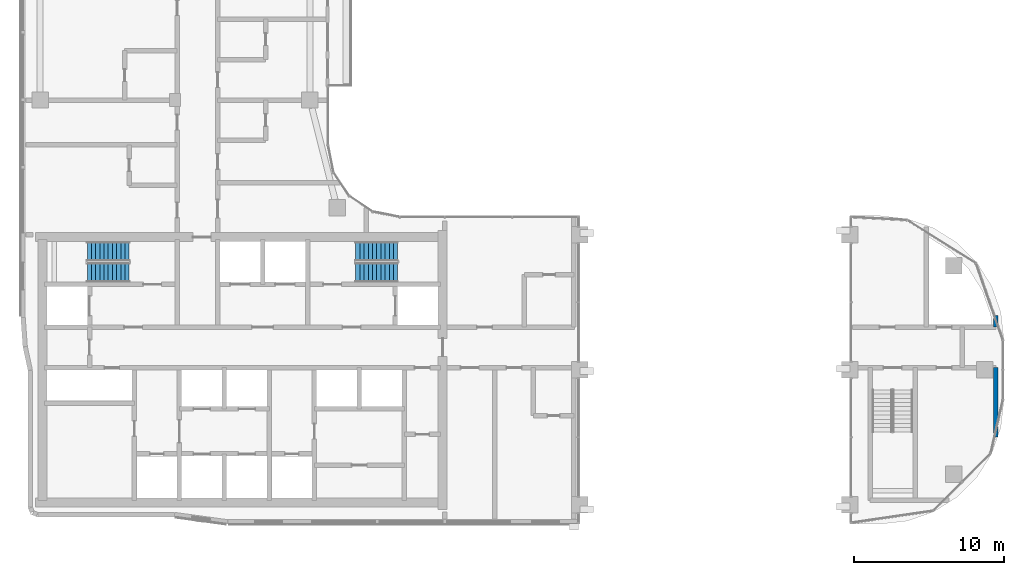
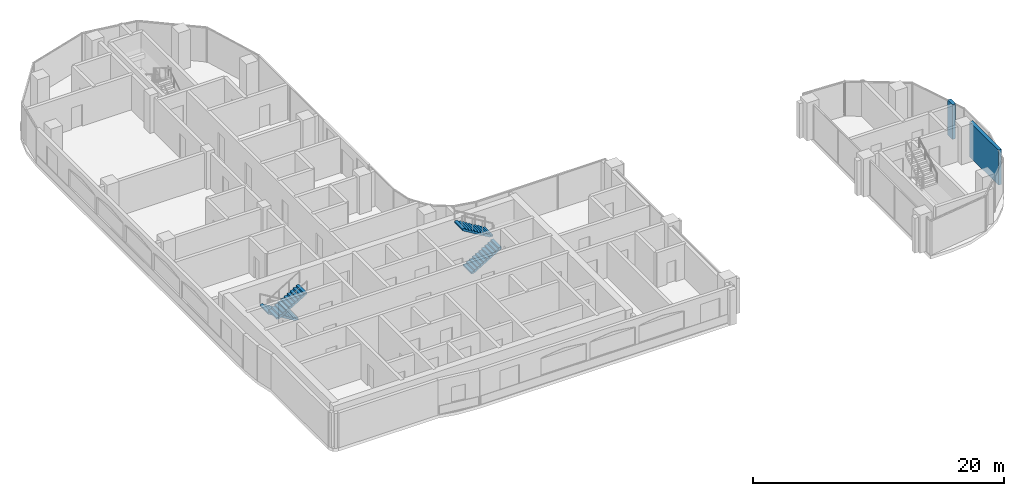
# One storey, part 14 of 23: 4 stair flights, 2 walls, 2 elements without a shape of their own.
"""IFC4 building model written with IfcOpenShell, lengths in metres."""

from ifc_helpers import new_model, si_unit, direction, frame, frame_2d, origin, place, context, subcontext, project, spatial, rectangle, extrude, triangles, source, transform, mapped, material, layer, layer_set, type_object, element, aggregate, save


model = new_model("IFC4")

# Units and contexts
model_context = context("Model", 3, precision=1e-05, world=origin(), true_north=direction((0.0, 1.0)))
body_context = subcontext(model_context, "Body", "Model", "MODEL_VIEW")
ifc_project = project(units=[si_unit("LENGTHUNIT", "METRE"), si_unit("AREAUNIT", "SQUARE_METRE"), si_unit("VOLUMEUNIT", "CUBIC_METRE"), si_unit("PLANEANGLEUNIT", "RADIAN"), si_unit("MASSUNIT", "GRAM", prefix="KILO")], contexts=[model_context])

# Site, building, storey
site_placement = place(None, origin())
site = spatial("IfcSite", under=ifc_project, at=site_placement, CompositionType="ELEMENT")
building_placement = place(site_placement, origin())
building = spatial("IfcBuilding", under=site, at=building_placement, Name="Ogive Portal Towers", CompositionType="ELEMENT")
storey_placement = place(building_placement, frame((0.0, 0.0, 164.39990234375)))
storey = spatial("IfcBuildingStorey", under=building, at=storey_placement, Name="L40", CompositionType="ELEMENT", Elevation=164.39990234375)

# Walls
ifc_material_1 = material(Name="Gypsum board partition on steel studs", Category="steel")
ifc_layer = layer(ifc_material_1, 0.300048828125)
ifc_layer_set = layer_set([ifc_layer], Name="WT-PART-300-EI 60")
wall_type = type_object("IfcWallType", Name="WT-PART-300-EI 60", PredefinedType="PARTITIONING", material=ifc_layer_set)
wall_1_placement = place(storey_placement, frame((95.25, 26.033935546875, 0.0), z_axis=(0.0, 0.0, 1.0), x_axis=(0.0, 1.0, 0.0)))
element("IfcWall", 1, at=wall_1_placement, inside=storey, type_object=wall_type, Name="Wall L40:w048", PredefinedType="PARTITIONING", context=body_context, shape_type="SweptSolid", body=[
    extrude(rectangle(XDim=4.615966796875, YDim=0.300048828125, at=frame_2d((2.30810546875, 0.0))), origin(), (0.0, 0.0, 1.0), 3.400146484375),
])
wall_2_placement = place(storey_placement, frame((95.25, 33.35009765625, 0.0), z_axis=(0.0, 0.0, 1.0), x_axis=(0.0, 1.0, 0.0)))
element("IfcWall", 2, at=wall_2_placement, inside=storey, type_object=wall_type, Name="Wall L40:w049", PredefinedType="PARTITIONING", context=body_context, shape_type="SweptSolid", body=[
    extrude(rectangle(XDim=0.77197265625, YDim=0.300048828125, at=frame_2d((0.385986328125, 0.0))), origin(), (0.0, 0.0, 1.0), 3.400146484375),
])

# Stair, stair flights
ifc_material_2 = material(Name="Concrete C40/50", Category="concrete")
stair_type = type_object("IfcStairType", Name="INT-STAIR", PredefinedType="HALF_TURN_STAIR", material=ifc_material_2)
stair_1_placement = place(storey_placement, origin())
stair_1 = element("IfcStair", 3, at=stair_1_placement, inside=storey, type_object=stair_type, Name="L40 Exit Stair ST-A1", PredefinedType="HALF_TURN_STAIR")
stair_flight_type = type_object("IfcStairFlightType", Name="INT-FLIGHT", PredefinedType="STRAIGHT", material=ifc_material_2)
shared_shape = source(origin(), body_context, "Body", "Tessellation", [
    triangles([(0.0, -0.650146484375, 0.0), (0.0, -0.376220703125, 0.0), (0.0, -0.192626953125, 0.0), (0.0, -0.081298828125, 0.0), (0.0, -0.024169921875, 0.0), (0.0, -0.003173828125, 0.0), (0.0, 0.0, 0.0), (0.0, 0.0029296875, 0.0), (0.0, 0.02392578125, 0.0), (0.0, 0.0810546875, 0.0), (0.0, 0.1923828125, 0.0), (0.0, 0.3759765625, 0.0), (0.0, 0.64990234375, 0.0), (0.0, -0.650146484375, 0.168212890625), (0.0, -0.376220703125, 0.168212890625), (0.0, -0.192626953125, 0.168212890625), (0.0, -0.081298828125, 0.168212890625), (0.0, -0.024169921875, 0.168212890625), (0.0, -0.003173828125, 0.168212890625), (0.0, 0.0, 0.168212890625), (0.0, 0.0029296875, 0.168212890625), (0.0, 0.02392578125, 0.168212890625), (0.0, 0.0810546875, 0.168212890625), (0.0, 0.1923828125, 0.168212890625), (0.0, 0.3759765625, 0.168212890625), (0.0, 0.64990234375, 0.168212890625), (0.280029296875, -0.650146484375, 0.168212890625), (0.280029296875, -0.376220703125, 0.168212890625), (0.280029296875, -0.192626953125, 0.168212890625), (0.280029296875, -0.081298828125, 0.168212890625), (0.280029296875, -0.024169921875, 0.168212890625), (0.280029296875, -0.003173828125, 0.168212890625), (0.280029296875, 0.0, 0.168212890625), (0.280029296875, 0.0029296875, 0.168212890625), (0.280029296875, 0.02392578125, 0.168212890625), (0.280029296875, 0.0810546875, 0.168212890625), (0.280029296875, 0.1923828125, 0.168212890625), (0.280029296875, 0.3759765625, 0.168212890625), (0.280029296875, 0.64990234375, 0.168212890625), (0.280029296875, -0.650146484375, 0.33642578125), (0.280029296875, -0.376220703125, 0.33642578125), (0.280029296875, -0.192626953125, 0.33642578125), (0.280029296875, -0.081298828125, 0.33642578125), (0.280029296875, -0.024169921875, 0.33642578125), (0.280029296875, -0.003173828125, 0.33642578125), (0.280029296875, 0.0, 0.33642578125), (0.280029296875, 0.0029296875, 0.33642578125), (0.280029296875, 0.02392578125, 0.33642578125), (0.280029296875, 0.0810546875, 0.33642578125), (0.280029296875, 0.1923828125, 0.33642578125), (0.280029296875, 0.3759765625, 0.33642578125), (0.280029296875, 0.64990234375, 0.33642578125), (0.56005859375, -0.650146484375, 0.33642578125), (0.56005859375, -0.376220703125, 0.33642578125), (0.56005859375, -0.192626953125, 0.33642578125), (0.56005859375, -0.081298828125, 0.33642578125), (0.56005859375, -0.024169921875, 0.33642578125), (0.56005859375, -0.003173828125, 0.33642578125), (0.56005859375, 0.0, 0.33642578125), (0.56005859375, 0.0029296875, 0.33642578125), (0.56005859375, 0.02392578125, 0.33642578125), (0.56005859375, 0.0810546875, 0.33642578125), (0.56005859375, 0.1923828125, 0.33642578125), (0.56005859375, 0.3759765625, 0.33642578125), (0.56005859375, 0.64990234375, 0.33642578125), (0.56005859375, -0.650146484375, 0.504638671875), (0.56005859375, -0.376220703125, 0.504638671875), (0.56005859375, -0.192626953125, 0.504638671875), (0.56005859375, -0.081298828125, 0.504638671875), (0.56005859375, -0.024169921875, 0.504638671875), (0.56005859375, -0.003173828125, 0.504638671875), (0.56005859375, 0.0, 0.504638671875), (0.56005859375, 0.0029296875, 0.504638671875), (0.56005859375, 0.02392578125, 0.504638671875), (0.56005859375, 0.0810546875, 0.504638671875), (0.56005859375, 0.1923828125, 0.504638671875), (0.56005859375, 0.3759765625, 0.504638671875), (0.56005859375, 0.64990234375, 0.504638671875), (0.840087890625, -0.650146484375, 0.504638671875), (0.840087890625, -0.376220703125, 0.504638671875), (0.840087890625, -0.192626953125, 0.504638671875), (0.840087890625, -0.081298828125, 0.504638671875), (0.840087890625, -0.024169921875, 0.504638671875), (0.840087890625, -0.003173828125, 0.504638671875), (0.840087890625, 0.0, 0.504638671875), (0.840087890625, 0.0029296875, 0.504638671875), (0.840087890625, 0.02392578125, 0.504638671875), (0.840087890625, 0.0810546875, 0.504638671875), (0.840087890625, 0.1923828125, 0.504638671875), (0.840087890625, 0.3759765625, 0.504638671875), (0.840087890625, 0.64990234375, 0.504638671875), (0.840087890625, -0.650146484375, 0.672607421875), (0.840087890625, -0.376220703125, 0.672607421875), (0.840087890625, -0.192626953125, 0.672607421875), (0.840087890625, -0.081298828125, 0.672607421875), (0.840087890625, -0.024169921875, 0.672607421875), (0.840087890625, -0.003173828125, 0.672607421875), (0.840087890625, 0.0, 0.672607421875), (0.840087890625, 0.0029296875, 0.672607421875), (0.840087890625, 0.02392578125, 0.672607421875), (0.840087890625, 0.0810546875, 0.672607421875), (0.840087890625, 0.1923828125, 0.672607421875), (0.840087890625, 0.3759765625, 0.672607421875), (0.840087890625, 0.64990234375, 0.672607421875), (1.1201171875, -0.650146484375, 0.672607421875), (1.1201171875, -0.376220703125, 0.672607421875), (1.1201171875, -0.192626953125, 0.672607421875), (1.1201171875, -0.081298828125, 0.672607421875), (1.1201171875, -0.024169921875, 0.672607421875), (1.1201171875, -0.003173828125, 0.672607421875), (1.1201171875, 0.0, 0.672607421875), (1.1201171875, 0.0029296875, 0.672607421875), (1.1201171875, 0.02392578125, 0.672607421875), (1.1201171875, 0.0810546875, 0.672607421875), (1.1201171875, 0.1923828125, 0.672607421875), (1.1201171875, 0.3759765625, 0.672607421875), (1.1201171875, 0.64990234375, 0.672607421875), (1.1201171875, -0.650146484375, 0.8408203125), (1.1201171875, -0.376220703125, 0.8408203125), (1.1201171875, -0.192626953125, 0.8408203125), (1.1201171875, -0.081298828125, 0.8408203125), (1.1201171875, -0.024169921875, 0.8408203125), (1.1201171875, -0.003173828125, 0.8408203125), (1.1201171875, 0.0, 0.8408203125), (1.1201171875, 0.0029296875, 0.8408203125), (1.1201171875, 0.02392578125, 0.8408203125), (1.1201171875, 0.0810546875, 0.8408203125), (1.1201171875, 0.1923828125, 0.8408203125), (1.1201171875, 0.3759765625, 0.8408203125), (1.1201171875, 0.64990234375, 0.8408203125), (1.39990234375, -0.650146484375, 0.8408203125), (1.39990234375, -0.376220703125, 0.8408203125), (1.39990234375, -0.192626953125, 0.8408203125), (1.39990234375, -0.081298828125, 0.8408203125), (1.39990234375, -0.024169921875, 0.8408203125), (1.39990234375, -0.003173828125, 0.8408203125), (1.39990234375, 0.0, 0.8408203125), (1.39990234375, 0.0029296875, 0.8408203125), (1.39990234375, 0.02392578125, 0.8408203125), (1.39990234375, 0.0810546875, 0.8408203125), (1.39990234375, 0.1923828125, 0.8408203125), (1.39990234375, 0.3759765625, 0.8408203125), (1.39990234375, 0.64990234375, 0.8408203125), (1.39990234375, -0.650146484375, 1.009033203125), (1.39990234375, -0.376220703125, 1.009033203125), (1.39990234375, -0.192626953125, 1.009033203125), (1.39990234375, -0.081298828125, 1.009033203125), (1.39990234375, -0.024169921875, 1.009033203125), (1.39990234375, -0.003173828125, 1.009033203125), (1.39990234375, 0.0, 1.009033203125), (1.39990234375, 0.0029296875, 1.009033203125), (1.39990234375, 0.02392578125, 1.009033203125), (1.39990234375, 0.0810546875, 1.009033203125), (1.39990234375, 0.1923828125, 1.009033203125), (1.39990234375, 0.3759765625, 1.009033203125), (1.39990234375, 0.64990234375, 1.009033203125), (1.679931640625, -0.650146484375, 1.009033203125), (1.679931640625, -0.376220703125, 1.009033203125), (1.679931640625, -0.192626953125, 1.009033203125), (1.679931640625, -0.081298828125, 1.009033203125), (1.679931640625, -0.024169921875, 1.009033203125), (1.679931640625, -0.003173828125, 1.009033203125), (1.679931640625, 0.0, 1.009033203125), (1.679931640625, 0.0029296875, 1.009033203125), (1.679931640625, 0.02392578125, 1.009033203125), (1.679931640625, 0.0810546875, 1.009033203125), (1.679931640625, 0.1923828125, 1.009033203125), (1.679931640625, 0.3759765625, 1.009033203125), (1.679931640625, 0.64990234375, 1.009033203125), (1.679931640625, -0.650146484375, 1.17724609375), (1.679931640625, -0.376220703125, 1.17724609375), (1.679931640625, -0.192626953125, 1.17724609375), (1.679931640625, -0.081298828125, 1.17724609375), (1.679931640625, -0.024169921875, 1.17724609375), (1.679931640625, -0.003173828125, 1.17724609375), (1.679931640625, 0.0, 1.17724609375), (1.679931640625, 0.0029296875, 1.17724609375), (1.679931640625, 0.02392578125, 1.17724609375), (1.679931640625, 0.0810546875, 1.17724609375), (1.679931640625, 0.1923828125, 1.17724609375), (1.679931640625, 0.3759765625, 1.17724609375), (1.679931640625, 0.64990234375, 1.17724609375), (1.9599609375, -0.650146484375, 1.17724609375), (1.9599609375, -0.376220703125, 1.17724609375), (1.9599609375, -0.192626953125, 1.17724609375), (1.9599609375, -0.081298828125, 1.17724609375), (1.9599609375, -0.024169921875, 1.17724609375), (1.9599609375, -0.003173828125, 1.17724609375), (1.9599609375, 0.0, 1.17724609375), (1.9599609375, 0.0029296875, 1.17724609375), (1.9599609375, 0.02392578125, 1.17724609375), (1.9599609375, 0.0810546875, 1.17724609375), (1.9599609375, 0.1923828125, 1.17724609375), (1.9599609375, 0.3759765625, 1.17724609375), (1.9599609375, 0.64990234375, 1.17724609375), (1.9599609375, -0.650146484375, 1.345458984375), (1.9599609375, -0.376220703125, 1.345458984375), (1.9599609375, -0.192626953125, 1.345458984375), (1.9599609375, -0.081298828125, 1.345458984375), (1.9599609375, -0.024169921875, 1.345458984375), (1.9599609375, -0.003173828125, 1.345458984375), (1.9599609375, 0.0, 1.345458984375), (1.9599609375, 0.0029296875, 1.345458984375), (1.9599609375, 0.02392578125, 1.345458984375), (1.9599609375, 0.0810546875, 1.345458984375), (1.9599609375, 0.1923828125, 1.345458984375), (1.9599609375, 0.3759765625, 1.345458984375), (1.9599609375, 0.64990234375, 1.345458984375), (2.239990234375, -0.650146484375, 1.345458984375), (2.239990234375, -0.376220703125, 1.345458984375), (2.239990234375, -0.192626953125, 1.345458984375), (2.239990234375, -0.081298828125, 1.345458984375), (2.239990234375, -0.024169921875, 1.345458984375), (2.239990234375, -0.003173828125, 1.345458984375), (2.239990234375, 0.0, 1.345458984375), (2.239990234375, 0.0029296875, 1.345458984375), (2.239990234375, 0.02392578125, 1.345458984375), (2.239990234375, 0.0810546875, 1.345458984375), (2.239990234375, 0.1923828125, 1.345458984375), (2.239990234375, 0.3759765625, 1.345458984375), (2.239990234375, 0.64990234375, 1.345458984375), (2.239990234375, -0.650146484375, 1.513671875), (2.239990234375, -0.376220703125, 1.513671875), (2.239990234375, -0.192626953125, 1.513671875), (2.239990234375, -0.081298828125, 1.513671875), (2.239990234375, -0.024169921875, 1.513671875), (2.239990234375, -0.003173828125, 1.513671875), (2.239990234375, 0.0, 1.513671875), (2.239990234375, 0.0029296875, 1.513671875), (2.239990234375, 0.02392578125, 1.513671875), (2.239990234375, 0.0810546875, 1.513671875), (2.239990234375, 0.1923828125, 1.513671875), (2.239990234375, 0.3759765625, 1.513671875), (2.239990234375, 0.64990234375, 1.513671875), (2.52001953125, -0.650146484375, 1.513671875), (2.52001953125, -0.376220703125, 1.513671875), (2.52001953125, -0.192626953125, 1.513671875), (2.52001953125, -0.081298828125, 1.513671875), (2.52001953125, -0.024169921875, 1.513671875), (2.52001953125, -0.003173828125, 1.513671875), (2.52001953125, 0.0, 1.513671875), (2.52001953125, 0.0029296875, 1.513671875), (2.52001953125, 0.02392578125, 1.513671875), (2.52001953125, 0.0810546875, 1.513671875), (2.52001953125, 0.1923828125, 1.513671875), (2.52001953125, 0.3759765625, 1.513671875), (2.52001953125, 0.64990234375, 1.513671875), (2.52001953125, -0.650146484375, 1.681884765625), (2.52001953125, -0.376220703125, 1.681884765625), (2.52001953125, -0.192626953125, 1.681884765625), (2.52001953125, -0.081298828125, 1.681884765625), (2.52001953125, -0.024169921875, 1.681884765625), (2.52001953125, -0.003173828125, 1.681884765625), (2.52001953125, 0.0, 1.681884765625), (2.52001953125, 0.0029296875, 1.681884765625), (2.52001953125, 0.02392578125, 1.681884765625), (2.52001953125, 0.0810546875, 1.681884765625), (2.52001953125, 0.1923828125, 1.681884765625), (2.52001953125, 0.3759765625, 1.681884765625), (2.52001953125, 0.64990234375, 1.681884765625), (2.800048828125, -0.650146484375, 1.681884765625), (2.800048828125, -0.376220703125, 1.681884765625), (2.800048828125, -0.192626953125, 1.681884765625), (2.800048828125, -0.081298828125, 1.681884765625), (2.800048828125, -0.024169921875, 1.681884765625), (2.800048828125, -0.003173828125, 1.681884765625), (2.800048828125, 0.0, 1.681884765625), (2.800048828125, 0.0029296875, 1.681884765625), (2.800048828125, 0.02392578125, 1.681884765625), (2.800048828125, 0.0810546875, 1.681884765625), (2.800048828125, 0.1923828125, 1.681884765625), (2.800048828125, 0.3759765625, 1.681884765625), (2.800048828125, 0.64990234375, 1.681884765625), (2.800048828125, -0.650146484375, 1.5068359375), (2.800048828125, -0.376220703125, 1.5068359375), (2.800048828125, -0.192626953125, 1.5068359375), (2.800048828125, -0.081298828125, 1.5068359375), (2.800048828125, -0.024169921875, 1.5068359375), (2.800048828125, -0.003173828125, 1.5068359375), (2.800048828125, 0.0, 1.5068359375), (2.800048828125, 0.0029296875, 1.5068359375), (2.800048828125, 0.02392578125, 1.5068359375), (2.800048828125, 0.0810546875, 1.5068359375), (2.800048828125, 0.1923828125, 1.5068359375), (2.800048828125, 0.3759765625, 1.5068359375), (2.800048828125, 0.64990234375, 1.5068359375), (0.291015625, -0.650146484375, 0.0), (0.291015625, -0.376220703125, 0.0), (0.291015625, -0.192626953125, 0.0), (0.291015625, -0.081298828125, 0.0), (0.291015625, -0.024169921875, 0.0), (0.291015625, -0.003173828125, 0.0), (0.291015625, 0.0, 0.0), (0.291015625, 0.0029296875, 0.0), (0.291015625, 0.02392578125, 0.0), (0.291015625, 0.0810546875, 0.0), (0.291015625, 0.1923828125, 0.0), (0.291015625, 0.3759765625, 0.0), (0.291015625, 0.64990234375, 0.0)], [[1, 14, 15], [1, 15, 2], [2, 15, 16], [2, 16, 3], [3, 16, 17], [3, 17, 4], [4, 17, 18], [4, 18, 5], [5, 18, 19], [5, 19, 6], [6, 19, 20], [6, 20, 7], [7, 20, 21], [7, 21, 8], [8, 21, 22], [8, 22, 9], [9, 22, 23], [9, 23, 10], [10, 23, 24], [10, 24, 11], [11, 24, 25], [11, 25, 12], [12, 25, 26], [12, 26, 13], [14, 27, 28], [14, 28, 15], [15, 28, 29], [15, 29, 16], [16, 29, 30], [16, 30, 17], [17, 30, 31], [17, 31, 18], [18, 31, 32], [18, 32, 19], [19, 32, 33], [19, 33, 20], [20, 33, 34], [20, 34, 21], [21, 34, 35], [21, 35, 22], [22, 35, 36], [22, 36, 23], [23, 36, 37], [23, 37, 24], [24, 37, 38], [24, 38, 25], [25, 38, 39], [25, 39, 26], [27, 40, 41], [27, 41, 28], [28, 41, 42], [28, 42, 29], [29, 42, 43], [29, 43, 30], [30, 43, 44], [30, 44, 31], [31, 44, 45], [31, 45, 32], [32, 45, 46], [32, 46, 33], [33, 46, 47], [33, 47, 34], [34, 47, 48], [34, 48, 35], [35, 48, 49], [35, 49, 36], [36, 49, 50], [36, 50, 37], [37, 50, 51], [37, 51, 38], [38, 51, 52], [38, 52, 39], [40, 53, 54], [40, 54, 41], [41, 54, 55], [41, 55, 42], [42, 55, 56], [42, 56, 43], [43, 56, 57], [43, 57, 44], [44, 57, 58], [44, 58, 45], [45, 58, 59], [45, 59, 46], [46, 59, 60], [46, 60, 47], [47, 60, 61], [47, 61, 48], [48, 61, 62], [48, 62, 49], [49, 62, 63], [49, 63, 50], [50, 63, 64], [50, 64, 51], [51, 64, 65], [51, 65, 52], [53, 66, 67], [53, 67, 54], [54, 67, 68], [54, 68, 55], [55, 68, 69], [55, 69, 56], [56, 69, 70], [56, 70, 57], [57, 70, 71], [57, 71, 58], [58, 71, 72], [58, 72, 59], [59, 72, 73], [59, 73, 60], [60, 73, 74], [60, 74, 61], [61, 74, 75], [61, 75, 62], [62, 75, 76], [62, 76, 63], [63, 76, 77], [63, 77, 64], [64, 77, 78], [64, 78, 65], [66, 79, 80], [66, 80, 67], [67, 80, 81], [67, 81, 68], [68, 81, 82], [68, 82, 69], [69, 82, 83], [69, 83, 70], [70, 83, 84], [70, 84, 71], [71, 84, 85], [71, 85, 72], [72, 85, 86], [72, 86, 73], [73, 86, 87], [73, 87, 74], [74, 87, 88], [74, 88, 75], [75, 88, 89], [75, 89, 76], [76, 89, 90], [76, 90, 77], [77, 90, 91], [77, 91, 78], [79, 92, 93], [79, 93, 80], [80, 93, 94], [80, 94, 81], [81, 94, 95], [81, 95, 82], [82, 95, 96], [82, 96, 83], [83, 96, 97], [83, 97, 84], [84, 97, 98], [84, 98, 85], [85, 98, 99], [85, 99, 86], [86, 99, 100], [86, 100, 87], [87, 100, 101], [87, 101, 88], [88, 101, 102], [88, 102, 89], [89, 102, 103], [89, 103, 90], [90, 103, 104], [90, 104, 91], [92, 105, 106], [92, 106, 93], [93, 106, 107], [93, 107, 94], [94, 107, 108], [94, 108, 95], [95, 108, 109], [95, 109, 96], [96, 109, 110], [96, 110, 97], [97, 110, 111], [97, 111, 98], [98, 111, 112], [98, 112, 99], [99, 112, 113], [99, 113, 100], [100, 113, 114], [100, 114, 101], [101, 114, 115], [101, 115, 102], [102, 115, 116], [102, 116, 103], [103, 116, 117], [103, 117, 104], [105, 118, 119], [105, 119, 106], [106, 119, 120], [106, 120, 107], [107, 120, 121], [107, 121, 108], [108, 121, 122], [108, 122, 109], [109, 122, 123], [109, 123, 110], [110, 123, 124], [110, 124, 111], [111, 124, 125], [111, 125, 112], [112, 125, 126], [112, 126, 113], [113, 126, 127], [113, 127, 114], [114, 127, 128], [114, 128, 115], [115, 128, 129], [115, 129, 116], [116, 129, 130], [116, 130, 117], [118, 131, 132], [118, 132, 119], [119, 132, 133], [119, 133, 120], [120, 133, 134], [120, 134, 121], [121, 134, 135], [121, 135, 122], [122, 135, 136], [122, 136, 123], [123, 136, 137], [123, 137, 124], [124, 137, 138], [124, 138, 125], [125, 138, 139], [125, 139, 126], [126, 139, 140], [126, 140, 127], [127, 140, 141], [127, 141, 128], [128, 141, 142], [128, 142, 129], [129, 142, 143], [129, 143, 130], [131, 144, 145], [131, 145, 132], [132, 145, 146], [132, 146, 133], [133, 146, 147], [133, 147, 134], [134, 147, 148], [134, 148, 135], [135, 148, 149], [135, 149, 136], [136, 149, 150], [136, 150, 137], [137, 150, 151], [137, 151, 138], [138, 151, 152], [138, 152, 139], [139, 152, 153], [139, 153, 140], [140, 153, 154], [140, 154, 141], [141, 154, 155], [141, 155, 142], [142, 155, 156], [142, 156, 143], [144, 157, 158], [144, 158, 145], [145, 158, 159], [145, 159, 146], [146, 159, 160], [146, 160, 147], [147, 160, 161], [147, 161, 148], [148, 161, 162], [148, 162, 149], [149, 162, 163], [149, 163, 150], [150, 163, 164], [150, 164, 151], [151, 164, 165], [151, 165, 152], [152, 165, 166], [152, 166, 153], [153, 166, 167], [153, 167, 154], [154, 167, 168], [154, 168, 155], [155, 168, 169], [155, 169, 156], [157, 170, 171], [157, 171, 158], [158, 171, 172], [158, 172, 159], [159, 172, 173], [159, 173, 160], [160, 173, 174], [160, 174, 161], [161, 174, 175], [161, 175, 162], [162, 175, 176], [162, 176, 163], [163, 176, 177], [163, 177, 164], [164, 177, 178], [164, 178, 165], [165, 178, 179], [165, 179, 166], [166, 179, 180], [166, 180, 167], [167, 180, 181], [167, 181, 168], [168, 181, 182], [168, 182, 169], [170, 183, 184], [170, 184, 171], [171, 184, 185], [171, 185, 172], [172, 185, 186], [172, 186, 173], [173, 186, 187], [173, 187, 174], [174, 187, 188], [174, 188, 175], [175, 188, 189], [175, 189, 176], [176, 189, 190], [176, 190, 177], [177, 190, 191], [177, 191, 178], [178, 191, 192], [178, 192, 179], [179, 192, 193], [179, 193, 180], [180, 193, 194], [180, 194, 181], [181, 194, 195], [181, 195, 182], [183, 196, 197], [183, 197, 184], [184, 197, 198], [184, 198, 185], [185, 198, 199], [185, 199, 186], [186, 199, 200], [186, 200, 187], [187, 200, 201], [187, 201, 188], [188, 201, 202], [188, 202, 189], [189, 202, 203], [189, 203, 190], [190, 203, 204], [190, 204, 191], [191, 204, 205], [191, 205, 192], [192, 205, 206], [192, 206, 193], [193, 206, 207], [193, 207, 194], [194, 207, 208], [194, 208, 195], [196, 209, 210], [196, 210, 197], [197, 210, 211], [197, 211, 198], [198, 211, 212], [198, 212, 199], [199, 212, 213], [199, 213, 200], [200, 213, 214], [200, 214, 201], [201, 214, 215], [201, 215, 202], [202, 215, 216], [202, 216, 203], [203, 216, 217], [203, 217, 204], [204, 217, 218], [204, 218, 205], [205, 218, 219], [205, 219, 206], [206, 219, 220], [206, 220, 207], [207, 220, 221], [207, 221, 208], [209, 222, 223], [209, 223, 210], [210, 223, 224], [210, 224, 211], [211, 224, 225], [211, 225, 212], [212, 225, 226], [212, 226, 213], [213, 226, 227], [213, 227, 214], [214, 227, 228], [214, 228, 215], [215, 228, 229], [215, 229, 216], [216, 229, 230], [216, 230, 217], [217, 230, 231], [217, 231, 218], [218, 231, 232], [218, 232, 219], [219, 232, 233], [219, 233, 220], [220, 233, 234], [220, 234, 221], [222, 235, 236], [222, 236, 223], [223, 236, 237], [223, 237, 224], [224, 237, 238], [224, 238, 225], [225, 238, 239], [225, 239, 226], [226, 239, 240], [226, 240, 227], [227, 240, 241], [227, 241, 228], [228, 241, 242], [228, 242, 229], [229, 242, 243], [229, 243, 230], [230, 243, 244], [230, 244, 231], [231, 244, 245], [231, 245, 232], [232, 245, 246], [232, 246, 233], [233, 246, 247], [233, 247, 234], [235, 248, 249], [235, 249, 236], [236, 249, 250], [236, 250, 237], [237, 250, 251], [237, 251, 238], [238, 251, 252], [238, 252, 239], [239, 252, 253], [239, 253, 240], [240, 253, 254], [240, 254, 241], [241, 254, 255], [241, 255, 242], [242, 255, 256], [242, 256, 243], [243, 256, 257], [243, 257, 244], [244, 257, 258], [244, 258, 245], [245, 258, 259], [245, 259, 246], [246, 259, 260], [246, 260, 247], [248, 261, 262], [248, 262, 249], [249, 262, 263], [249, 263, 250], [250, 263, 264], [250, 264, 251], [251, 264, 265], [251, 265, 252], [252, 265, 266], [252, 266, 253], [253, 266, 267], [253, 267, 254], [254, 267, 268], [254, 268, 255], [255, 268, 269], [255, 269, 256], [256, 269, 270], [256, 270, 257], [257, 270, 271], [257, 271, 258], [258, 271, 272], [258, 272, 259], [259, 272, 273], [259, 273, 260], [261, 274, 275], [261, 275, 262], [262, 275, 276], [262, 276, 263], [263, 276, 277], [263, 277, 264], [264, 277, 278], [264, 278, 265], [265, 278, 279], [265, 279, 266], [266, 279, 280], [266, 280, 267], [267, 280, 281], [267, 281, 268], [268, 281, 282], [268, 282, 269], [269, 282, 283], [269, 283, 270], [270, 283, 284], [270, 284, 271], [271, 284, 285], [271, 285, 272], [272, 285, 286], [272, 286, 273], [274, 287, 288], [274, 288, 275], [275, 288, 289], [275, 289, 276], [276, 289, 290], [276, 290, 277], [277, 290, 291], [277, 291, 278], [278, 291, 292], [278, 292, 279], [279, 292, 293], [279, 293, 280], [280, 293, 294], [280, 294, 281], [281, 294, 295], [281, 295, 282], [282, 295, 296], [282, 296, 283], [283, 296, 297], [283, 297, 284], [284, 297, 298], [284, 298, 285], [285, 298, 299], [285, 299, 286], [287, 1, 2], [287, 2, 288], [288, 2, 3], [288, 3, 289], [289, 3, 4], [289, 4, 290], [290, 4, 5], [290, 5, 291], [291, 5, 6], [291, 6, 292], [292, 6, 7], [292, 7, 293], [293, 7, 8], [293, 8, 294], [294, 8, 9], [294, 9, 295], [295, 9, 10], [295, 10, 296], [296, 10, 11], [296, 11, 297], [297, 11, 12], [297, 12, 298], [298, 12, 13], [298, 13, 299], [1, 287, 274], [13, 286, 299], [274, 261, 248], [286, 260, 273], [274, 248, 235], [286, 247, 260], [274, 235, 222], [286, 234, 247], [274, 222, 209], [286, 221, 234], [209, 196, 183], [221, 195, 208], [274, 209, 183], [286, 195, 221], [183, 170, 157], [195, 169, 182], [274, 183, 157], [286, 169, 195], [157, 144, 131], [169, 143, 156], [274, 157, 131], [286, 143, 169], [131, 118, 105], [143, 117, 130], [274, 131, 105], [286, 117, 143], [1, 274, 105], [13, 117, 286], [105, 92, 79], [117, 91, 104], [79, 66, 53], [91, 65, 78], [105, 79, 53], [117, 65, 91], [53, 40, 27], [65, 39, 52], [105, 53, 27], [117, 39, 65], [1, 105, 27], [13, 39, 117], [27, 14, 1], [39, 13, 26]], closed=True),
])
stair_flight_1_placement = place(storey_placement, frame((37.449951171875, 38.39990234375, 0.0), z_axis=(0.0, 0.0, 1.0), x_axis=(-1.0, 0.0, 0.0)))
stair_flight_1 = element("IfcStairFlight", 4, at=stair_flight_1_placement, type_object=stair_flight_type, Name="ST-A1 flight 1", NumberOfRisers=11, NumberOfTreads=10, PredefinedType="STRAIGHT", RiserHeight=0.168181818, TreadLength=0.28, context=body_context, shape_type="MappedRepresentation", body=[
    mapped(shared_shape, transform((0.0, 0.0, 0.0), scale=1.0)),
])
stair_flight_2_placement = place(storey_placement, frame((34.64990234375, 37.0, 1.85009765625), z_axis=(0.0, 0.0, 1.0), x_axis=(1.0, 0.0, 0.0)))
stair_flight_2 = element("IfcStairFlight", 5, at=stair_flight_2_placement, type_object=stair_flight_type, Name="ST-A1 flight 2", NumberOfRisers=11, NumberOfTreads=10, PredefinedType="STRAIGHT", RiserHeight=0.168181818, TreadLength=0.28, context=body_context, shape_type="MappedRepresentation", body=[
    mapped(shared_shape, transform((0.0, 0.0, 0.0), scale=1.0)),
])
aggregate(stair_1, [stair_flight_1, stair_flight_2])

stair_2_placement = place(storey_placement, origin())
stair_2 = element("IfcStair", 6, at=stair_2_placement, inside=storey, type_object=stair_type, Name="L40 Exit Stair ST-A2", PredefinedType="HALF_TURN_STAIR")
stair_flight_3_placement = place(storey_placement, frame((52.550048828125, 37.0, 0.0), z_axis=(0.0, 0.0, 1.0), x_axis=(1.0, 0.0, 0.0)))
stair_flight_3 = element("IfcStairFlight", 7, at=stair_flight_3_placement, type_object=stair_flight_type, Name="ST-A2 flight 1", NumberOfRisers=11, NumberOfTreads=10, PredefinedType="STRAIGHT", RiserHeight=0.168181818, TreadLength=0.28, context=body_context, shape_type="MappedRepresentation", body=[
    mapped(shared_shape, transform((0.0, 0.0, 0.0), scale=1.0)),
])
stair_flight_4_placement = place(storey_placement, frame((55.35009765625, 38.39990234375, 1.85009765625), z_axis=(0.0, 0.0, 1.0), x_axis=(-1.0, 0.0, 0.0)))
stair_flight_4 = element("IfcStairFlight", 8, at=stair_flight_4_placement, type_object=stair_flight_type, Name="ST-A2 flight 2", NumberOfRisers=11, NumberOfTreads=10, PredefinedType="STRAIGHT", RiserHeight=0.168181818, TreadLength=0.28, context=body_context, shape_type="MappedRepresentation", body=[
    mapped(shared_shape, transform((0.0, 0.0, 0.0), scale=1.0)),
])
aggregate(stair_2, [stair_flight_3, stair_flight_4])

save(model, "model.ifc")
